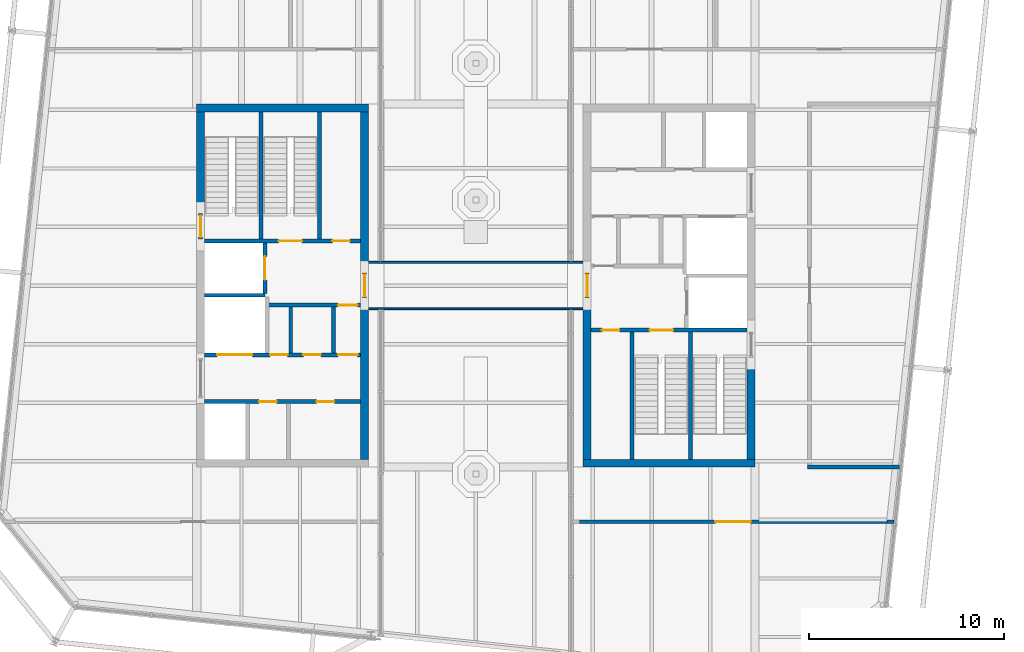
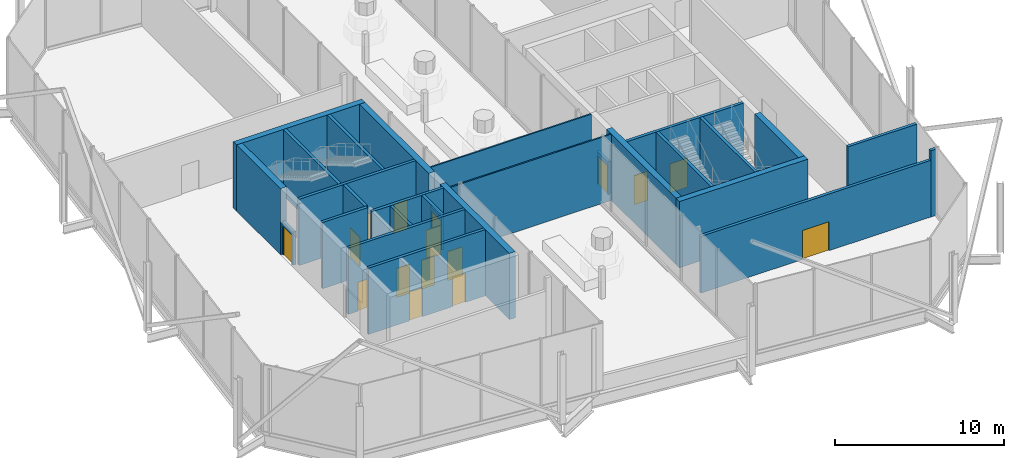
# One storey, part 10 of 14: 28 walls, 16 doors, 16 openings.
"""IFC4 building model written with IfcOpenShell, lengths in metres."""

from ifc_helpers import new_model, si_unit, direction, frame, frame_2d, origin, place, context, subcontext, project, spatial, rectangle, extrude, material, layer, layer_set, type_object, element, fill, save


model = new_model("IFC4")

# Units and contexts
model_context = context("Model", 3, precision=1e-05, world=origin(), true_north=direction((0.0, 1.0)))
body_context = subcontext(model_context, "Body", "Model", "MODEL_VIEW")
ifc_project = project(units=[si_unit("LENGTHUNIT", "METRE"), si_unit("AREAUNIT", "SQUARE_METRE"), si_unit("VOLUMEUNIT", "CUBIC_METRE"), si_unit("PLANEANGLEUNIT", "RADIAN"), si_unit("MASSUNIT", "GRAM", prefix="KILO")], contexts=[model_context])

# Site, building, storey
site_placement = place(None, origin())
site = spatial("IfcSite", under=ifc_project, at=site_placement, CompositionType="ELEMENT")
building_placement = place(site_placement, origin())
building = spatial("IfcBuilding", under=site, at=building_placement, Name="Millrace Tower", CompositionType="ELEMENT")
storey_placement = place(building_placement, frame((0.0, 0.0, 342.10009765625)))
storey = spatial("IfcBuildingStorey", under=building, at=storey_placement, Name="L79", CompositionType="ELEMENT", Elevation=342.10009765625)

# Walls
ifc_material_1 = material(Name="Concrete C60", Category="concrete")
ifc_layer_1 = layer(ifc_material_1, 0.39990234375)
ifc_layer_set_1 = layer_set([ifc_layer_1], Name="Concrete C60")
wall_type_1 = type_object("IfcWallType", Name="Core wall 400 Concrete C60", PredefinedType="SHEAR", material=ifc_layer_set_1)
wall_1_placement = place(storey_placement, frame((-14.300048828125, 9.10009765625, 0.0), z_axis=(0.0, 0.0, 1.0), x_axis=(1.0, 0.0, 0.0)))
element("IfcWall", 1, at=wall_1_placement, inside=storey, type_object=wall_type_1, Name="Core wall W L79", PredefinedType="SHEAR", context=body_context, shape_type="SweptSolid", body=[
    extrude(rectangle(XDim=8.800048828125, YDim=0.39990234375, at=frame_2d((4.39990234375, 0.0))), origin(), (0.0, 0.0, 1.0), 4.7998046875),
])
wall_2_placement = place(storey_placement, frame((-14.10009765625, 3.679931640625, 0.0), z_axis=(0.0, 0.0, 1.0), x_axis=(0.0, 1.0, 0.0)))
element("IfcWall", 2, at=wall_2_placement, inside=storey, type_object=wall_type_1, Name="Core wall W L79", PredefinedType="SHEAR", context=body_context, shape_type="SweptSolid", body=[
    extrude(rectangle(XDim=5.219970703125, YDim=0.39990234375, at=frame_2d((2.60986328125, 0.0))), origin(), (0.0, 0.0, 1.0), 4.7998046875),
])
for number, where, z_axis, x_axis, name in (
    (3, (-5.699951171875, -8.89990234375, 0.0), (0.0, 0.0, 1.0), (0.0, 1.0, 0.0), "Core wall W L79"),
    (4, (-5.699951171875, 0.64990234375, 0.0), (0.0, 0.0, 1.0), (0.0, 1.0, 0.0), "Core wall W L79"),
):
    element("IfcWall", number, at=place(storey_placement, frame(where, z_axis=z_axis, x_axis=x_axis)), inside=storey, type_object=wall_type_1, Name=name, PredefinedType="SHEAR", context=body_context, shape_type="SweptSolid", body=[
        extrude(rectangle(XDim=8.25, YDim=0.39990234375, at=frame_2d((4.125, 0.0))), origin(), (0.0, 0.0, 1.0), 4.7998046875),
    ])
wall_3_placement = place(storey_placement, frame((14.300048828125, -9.10009765625, 0.0), z_axis=(0.0, 0.0, 1.0), x_axis=(-1.0, 0.0, 0.0)))
element("IfcWall", 5, at=wall_3_placement, inside=storey, type_object=wall_type_1, Name="Core wall E L79", PredefinedType="SHEAR", context=body_context, shape_type="SweptSolid", body=[
    extrude(rectangle(XDim=8.800048828125, YDim=0.39990234375, at=frame_2d((4.39990234375, 0.0))), origin(), (0.0, 0.0, 1.0), 4.7998046875),
])
wall_4_placement = place(storey_placement, frame((14.10009765625, -3.679931640625, 0.0), z_axis=(0.0, 0.0, 1.0), x_axis=(0.0, -1.0, 0.0)))
element("IfcWall", 6, at=wall_4_placement, inside=storey, type_object=wall_type_1, Name="Core wall E L79", PredefinedType="SHEAR", context=body_context, shape_type="SweptSolid", body=[
    extrude(rectangle(XDim=5.219970703125, YDim=0.39990234375, at=frame_2d((2.60986328125, 0.0))), origin(), (0.0, 0.0, 1.0), 4.7998046875),
])
wall_5_placement = place(storey_placement, frame((5.699951171875, -0.64990234375, 0.0), z_axis=(0.0, 0.0, 1.0), x_axis=(0.0, -1.0, 0.0)))
element("IfcWall", 7, at=wall_5_placement, inside=storey, type_object=wall_type_1, Name="Core wall E L79", PredefinedType="SHEAR", context=body_context, shape_type="SweptSolid", body=[
    extrude(rectangle(XDim=8.25, YDim=0.39990234375, at=frame_2d((4.125, 0.0))), origin(), (0.0, 0.0, 1.0), 4.7998046875),
])

# Wall, opening, door
ifc_material_2 = material(Name="Masonry partition, fire-rated", Category="masonry")
ifc_layer_2 = layer(ifc_material_2, 0.199951171875)
ifc_layer_set_2 = layer_set([ifc_layer_2], Name="Masonry partition, fire-rated")
wall_type_2 = type_object("IfcWallType", Name="Corridor wall 200", PredefinedType="PARTITIONING", material=ifc_layer_set_2)
wall_6_placement = place(storey_placement, frame((5.307373046875, -12.10009765625, 0.0), z_axis=(0.0, 0.0, 1.0), x_axis=(1.0, 0.0, 0.0)))
wall_6 = element("IfcWall", 8, at=wall_6_placement, inside=storey, type_object=wall_type_2, Name="Corridor wall L79", PredefinedType="PARTITIONING", context=body_context, shape_type="SweptSolid", body=[
    extrude(rectangle(XDim=15.740478515625, YDim=0.199951171875, at=frame_2d((7.8701171875, 0.0))), origin(), (0.0, 0.0, 1.0), 4.1064453125),
])
opening_1_placement = place(wall_6_placement, frame((6.9658203125, 0.0, 0.0)))
opening_1 = element("IfcOpeningElement", 9, at=opening_1_placement, cuts=wall_6, Name="Opening 79-P007", PredefinedType="OPENING", context=body_context, shape_type="SweptSolid", body=[
    extrude(rectangle(XDim=1.800048828125, YDim=2.10009765625, at=frame_2d((0.89990234375, 1.050048828125))), frame((0.0, 0.10986328125, 0.0), z_axis=(0.0, -1.0, 0.0), x_axis=(1.0, 0.0, 0.0)), (0.0, 0.0, 1.0), 0.219970703125),
])
ifc_material_3 = material(Name="Steel door set, fire-rated", Category="steel")
door_type_1 = type_object("IfcDoorType", Name="Corridor door 1800 x 2100", OperationType="DOUBLE_DOOR_SINGLE_SWING", PredefinedType="DOOR", material=ifc_material_3)
door_1_placement = place(opening_1_placement, frame((1.800048828125, 0.0, 0.0), z_axis=(0.0, 0.0, 1.0), x_axis=(-1.0, 0.0, 0.0)))
door_1 = element("IfcDoor", 10, at=door_1_placement, inside=storey, type_object=door_type_1, Name="Door 79-P007", OperationType="DOUBLE_DOOR_SINGLE_SWING", OverallHeight=2.10009765625, OverallWidth=1.800048828125, PredefinedType="DOOR", context=body_context, shape_type="SweptSolid", body=[
    extrude(rectangle(XDim=1.800048828125, YDim=2.10009765625, at=frame_2d((0.89990234375, 1.050048828125))), frame((0.0, 0.02490234375, 0.0), z_axis=(0.0, -1.0, 0.0), x_axis=(1.0, 0.0, 0.0)), (0.0, 0.0, 1.0), 0.050048828125),
])
fill(opening_1, door_1)

# Walls
wall_7_placement = place(storey_placement, frame((21.0478515625, -12.10009765625, 0.0), z_axis=(0.0, 0.0, 1.0), x_axis=(1.0, 0.0, 0.0)))
element("IfcWall", 11, at=wall_7_placement, inside=storey, type_object=wall_type_2, Name="Corridor wall L79", PredefinedType="PARTITIONING", context=body_context, shape_type="SweptSolid", body=[
    extrude(rectangle(XDim=0.35888671875, YDim=0.199951171875, at=frame_2d((0.179443359375, 0.0))), origin(), (0.0, 0.0, 1.0), 4.7998046875),
])
wall_8_placement = place(storey_placement, frame((17.0, -9.300048828125, 0.0), z_axis=(0.0, 0.0, 1.0), x_axis=(1.0, 0.0, 0.0)))
element("IfcWall", 12, at=wall_8_placement, inside=storey, type_object=wall_type_2, Name="Corridor wall L79", PredefinedType="PARTITIONING", context=body_context, shape_type="SweptSolid", body=[
    extrude(rectangle(XDim=4.700927734375, YDim=0.199951171875, at=frame_2d((2.3505859375, 0.0))), origin(), (0.0, 0.0, 1.0), 4.7998046875),
])
ifc_material_4 = material(Name="Fire-resistant glazing", Category="glass")
ifc_layer_3 = layer(ifc_material_4, 0.10009765625)
ifc_layer_set_3 = layer_set([ifc_layer_3], Name="Fire-resistant glazing")
wall_type_3 = type_object("IfcWallType", Name="Glazed fire screen 100", PredefinedType="PARTITIONING", material=ifc_layer_set_3)
for number, where, z_axis, x_axis, name in (
    (13, (-5.5, -1.18994140625, 0.0), (0.0, 0.0, 1.0), (1.0, 0.0, 0.0), "Crown link glazed wall L79"),
    (14, (-5.5, 1.18994140625, 0.0), (0.0, 0.0, 1.0), (1.0, 0.0, 0.0), "Crown link glazed wall L79"),
):
    element("IfcWall", number, at=place(storey_placement, frame(where, z_axis=z_axis, x_axis=x_axis)), inside=storey, type_object=wall_type_3, Name=name, PredefinedType="PARTITIONING", context=body_context, shape_type="SweptSolid", body=[
        extrude(rectangle(XDim=11.0, YDim=0.10009765625, at=frame_2d((5.5, 0.0))), origin(), (0.0, 0.0, 1.0), 4.7998046875),
    ])

# Wall, openings, doors
ifc_material_5 = material(Name="Masonry partition, fire-rated", Category="masonry")
ifc_layer_4 = layer(ifc_material_5, 0.199951171875)
ifc_layer_set_4 = layer_set([ifc_layer_4], Name="Masonry partition, fire-rated")
wall_type_4 = type_object("IfcWallType", Name="Lift shaft wall 200", PredefinedType="PARTITIONING", material=ifc_layer_set_4)
wall_9_placement = place(storey_placement, frame((-13.89990234375, -5.949951171875, 0.0), z_axis=(0.0, 0.0, 1.0), x_axis=(1.0, 0.0, 0.0)))
wall_9 = element("IfcWall", 15, at=wall_9_placement, inside=storey, type_object=wall_type_4, Name="Lift shaft wall W L79", PredefinedType="PARTITIONING", context=body_context, shape_type="SweptSolid", body=[
    extrude(rectangle(XDim=8.0, YDim=0.199951171875, at=frame_2d((4.0, 0.0))), origin(), (0.0, 0.0, 1.0), 4.7998046875),
])
opening_2_placement = place(wall_9_placement, frame((2.797607421875, 0.0, 0.0)))
opening_2 = element("IfcOpeningElement", 16, at=opening_2_placement, cuts=wall_9, Name="Opening 79-C004", PredefinedType="OPENING", context=body_context, shape_type="SweptSolid", body=[
    extrude(rectangle(XDim=0.89990234375, YDim=2.10009765625, at=frame_2d((0.449951171875, 1.050048828125))), frame((0.0, 0.10986328125, 0.0), z_axis=(0.0, -1.0, 0.0), x_axis=(1.0, 0.0, 0.0)), (0.0, 0.0, 1.0), 0.219970703125),
])
opening_3_placement = place(wall_9_placement, frame((5.74755859375, 0.0, 0.0)))
opening_3 = element("IfcOpeningElement", 17, at=opening_3_placement, cuts=wall_9, Name="Opening 79-C005", PredefinedType="OPENING", context=body_context, shape_type="SweptSolid", body=[
    extrude(rectangle(XDim=0.89990234375, YDim=2.10009765625, at=frame_2d((0.449951171875, 1.050048828125))), frame((0.0, 0.10986328125, 0.0), z_axis=(0.0, -1.0, 0.0), x_axis=(1.0, 0.0, 0.0)), (0.0, 0.0, 1.0), 0.219970703125),
])
ifc_material_6 = material(Name="Steel door, fire-rated", Category="steel")
door_type_2 = type_object("IfcDoorType", Name="Service room door 900 x 2100", OperationType="SINGLE_SWING_LEFT", PredefinedType="DOOR", material=ifc_material_6)
door_2_placement = place(opening_2_placement, frame((0.89990234375, 0.0, 0.0), z_axis=(0.0, 0.0, 1.0), x_axis=(-1.0, 0.0, 0.0)))
door_2 = element("IfcDoor", 18, at=door_2_placement, inside=storey, type_object=door_type_2, Name="Service room door 79-C004", OperationType="SINGLE_SWING_RIGHT", OverallHeight=2.10009765625, OverallWidth=0.89990234375, PredefinedType="DOOR", context=body_context, shape_type="SweptSolid", body=[
    extrude(rectangle(XDim=0.89990234375, YDim=2.10009765625, at=frame_2d((0.449951171875, 1.050048828125))), frame((0.0, 0.02490234375, 0.0), z_axis=(0.0, -1.0, 0.0), x_axis=(1.0, 0.0, 0.0)), (0.0, 0.0, 1.0), 0.050048828125),
])
fill(opening_2, door_2)
door_3_placement = place(opening_3_placement, frame((0.89990234375, 0.0, 0.0), z_axis=(0.0, 0.0, 1.0), x_axis=(-1.0, 0.0, 0.0)))
door_3 = element("IfcDoor", 19, at=door_3_placement, inside=storey, type_object=door_type_2, Name="Service room door 79-C005", OperationType="SINGLE_SWING_LEFT", OverallHeight=2.10009765625, OverallWidth=0.89990234375, PredefinedType="DOOR", context=body_context, shape_type="SweptSolid", body=[
    extrude(rectangle(XDim=0.89990234375, YDim=2.10009765625, at=frame_2d((0.449951171875, 1.050048828125))), frame((0.0, 0.02490234375, 0.0), z_axis=(0.0, -1.0, 0.0), x_axis=(1.0, 0.0, 0.0)), (0.0, 0.0, 1.0), 0.050048828125),
])
fill(opening_3, door_3)

wall_10_placement = place(storey_placement, frame((-13.89990234375, -3.550048828125, 0.0), z_axis=(0.0, 0.0, 1.0), x_axis=(1.0, 0.0, 0.0)))
wall_10 = element("IfcWall", 20, at=wall_10_placement, inside=storey, type_object=wall_type_4, Name="Lift shaft wall W L79", PredefinedType="PARTITIONING", context=body_context, shape_type="SweptSolid", body=[
    extrude(rectangle(XDim=8.0, YDim=0.199951171875, at=frame_2d((4.0, 0.0))), origin(), (0.0, 0.0, 1.0), 4.7998046875),
])
opening_4_placement = place(wall_10_placement, frame((0.64990234375, 0.0, 0.0)))
opening_4 = element("IfcOpeningElement", 21, at=opening_4_placement, cuts=wall_10, Name="Opening 79-LD05", PredefinedType="OPENING", context=body_context, shape_type="SweptSolid", body=[
    extrude(rectangle(XDim=1.800048828125, YDim=2.10009765625, at=frame_2d((0.89990234375, 1.050048828125))), frame((0.0, 0.10986328125, 0.0), z_axis=(0.0, -1.0, 0.0), x_axis=(1.0, 0.0, 0.0)), (0.0, 0.0, 1.0), 0.219970703125),
])
opening_5_placement = place(wall_10_placement, frame((3.360107421875, 0.0, 0.0)))
opening_5 = element("IfcOpeningElement", 22, at=opening_5_placement, cuts=wall_10, Name="Opening 79-C006", PredefinedType="OPENING", context=body_context, shape_type="SweptSolid", body=[
    extrude(rectangle(XDim=0.89990234375, YDim=2.10009765625, at=frame_2d((0.449951171875, 1.050048828125))), frame((0.0, 0.10986328125, 0.0), z_axis=(0.0, -1.0, 0.0), x_axis=(1.0, 0.0, 0.0)), (0.0, 0.0, 1.0), 0.219970703125),
])
opening_6_placement = place(wall_10_placement, frame((5.06005859375, 0.0, 0.0)))
opening_6 = element("IfcOpeningElement", 23, at=opening_6_placement, cuts=wall_10, Name="Opening 79-C007", PredefinedType="OPENING", context=body_context, shape_type="SweptSolid", body=[
    extrude(rectangle(XDim=0.89990234375, YDim=2.10009765625, at=frame_2d((0.449951171875, 1.050048828125))), frame((0.0, 0.10986328125, 0.0), z_axis=(0.0, -1.0, 0.0), x_axis=(1.0, 0.0, 0.0)), (0.0, 0.0, 1.0), 0.219970703125),
])
opening_7_placement = place(wall_10_placement, frame((6.85009765625, 0.0, 0.0)))
opening_7 = element("IfcOpeningElement", 24, at=opening_7_placement, cuts=wall_10, Name="Opening 79-C008", PredefinedType="OPENING", context=body_context, shape_type="SweptSolid", body=[
    extrude(rectangle(XDim=1.0, YDim=2.10009765625, at=frame_2d((0.5, 1.050048828125))), frame((0.0, 0.10986328125, 0.0), z_axis=(0.0, -1.0, 0.0), x_axis=(1.0, 0.0, 0.0)), (0.0, 0.0, 1.0), 0.219970703125),
])
ifc_material_7 = material(Name="Stainless steel, fire-rated", Category="steel")
door_type_3 = type_object("IfcDoorType", Name="Lift landing door 1800 x 2100", OperationType="DOUBLE_DOOR_SLIDING", PredefinedType="DOOR", material=ifc_material_7)
door_4_placement = place(opening_4_placement, origin())
door_4 = element("IfcDoor", 25, at=door_4_placement, inside=storey, type_object=door_type_3, Name="Lift landing door LF5 L79", OperationType="DOUBLE_DOOR_SLIDING", OverallHeight=2.10009765625, OverallWidth=1.800048828125, PredefinedType="DOOR", context=body_context, shape_type="SweptSolid", body=[
    extrude(rectangle(XDim=1.800048828125, YDim=2.10009765625, at=frame_2d((0.89990234375, 1.050048828125))), frame((0.0, 0.02490234375, 0.0), z_axis=(0.0, -1.0, 0.0), x_axis=(1.0, 0.0, 0.0)), (0.0, 0.0, 1.0), 0.050048828125),
])
fill(opening_4, door_4)
ifc_material_8 = material(Name="Steel door, fire-rated", Category="steel")
door_type_4 = type_object("IfcDoorType", Name="Lobby door 1000 x 2100", OperationType="SINGLE_SWING_LEFT", PredefinedType="DOOR", material=ifc_material_8)
door_5_placement = place(opening_7_placement, origin())
door_5 = element("IfcDoor", 26, at=door_5_placement, inside=storey, type_object=door_type_4, Name="Lobby door 79-C008", OperationType="SINGLE_SWING_LEFT", OverallHeight=2.10009765625, OverallWidth=1.0, PredefinedType="DOOR", context=body_context, shape_type="SweptSolid", body=[
    extrude(rectangle(XDim=1.0, YDim=2.10009765625, at=frame_2d((0.5, 1.050048828125))), frame((0.0, 0.02490234375, 0.0), z_axis=(0.0, -1.0, 0.0), x_axis=(1.0, 0.0, 0.0)), (0.0, 0.0, 1.0), 0.050048828125),
])
fill(opening_7, door_5)
door_6_placement = place(opening_5_placement, origin())
door_6 = element("IfcDoor", 27, at=door_6_placement, inside=storey, type_object=door_type_2, Name="Service room door 79-C006", OperationType="SINGLE_SWING_LEFT", OverallHeight=2.10009765625, OverallWidth=0.89990234375, PredefinedType="DOOR", context=body_context, shape_type="SweptSolid", body=[
    extrude(rectangle(XDim=0.89990234375, YDim=2.10009765625, at=frame_2d((0.449951171875, 1.050048828125))), frame((0.0, 0.02490234375, 0.0), z_axis=(0.0, -1.0, 0.0), x_axis=(1.0, 0.0, 0.0)), (0.0, 0.0, 1.0), 0.050048828125),
])
fill(opening_5, door_6)
door_7_placement = place(opening_6_placement, origin())
door_7 = element("IfcDoor", 28, at=door_7_placement, inside=storey, type_object=door_type_2, Name="Service room door 79-C007", OperationType="SINGLE_SWING_RIGHT", OverallHeight=2.10009765625, OverallWidth=0.89990234375, PredefinedType="DOOR", context=body_context, shape_type="SweptSolid", body=[
    extrude(rectangle(XDim=0.89990234375, YDim=2.10009765625, at=frame_2d((0.449951171875, 1.050048828125))), frame((0.0, 0.02490234375, 0.0), z_axis=(0.0, -1.0, 0.0), x_axis=(1.0, 0.0, 0.0)), (0.0, 0.0, 1.0), 0.050048828125),
])
fill(opening_6, door_7)

# Wall
wall_11_placement = place(storey_placement, frame((-13.89990234375, -0.5, 0.0), z_axis=(0.0, 0.0, 1.0), x_axis=(1.0, 0.0, 0.0)))
element("IfcWall", 29, at=wall_11_placement, inside=storey, type_object=wall_type_4, Name="Lift shaft wall W L79", PredefinedType="PARTITIONING", context=body_context, shape_type="SweptSolid", body=[
    extrude(rectangle(XDim=3.099853515625, YDim=0.199951171875, at=frame_2d((1.5498046875, 0.0))), origin(), (0.0, 0.0, 1.0), 4.7998046875),
])

# Wall, opening, door
wall_12_placement = place(storey_placement, frame((-10.800048828125, -1.0, 0.0), z_axis=(0.0, 0.0, 1.0), x_axis=(1.0, 0.0, 0.0)))
wall_12 = element("IfcWall", 30, at=wall_12_placement, inside=storey, type_object=wall_type_4, Name="Lift shaft wall W L79", PredefinedType="PARTITIONING", context=body_context, shape_type="SweptSolid", body=[
    extrude(rectangle(XDim=4.900146484375, YDim=0.199951171875, at=frame_2d((2.4501953125, 0.0))), origin(), (0.0, 0.0, 1.0), 4.7998046875),
])
opening_8_placement = place(wall_12_placement, frame((3.75, 0.0, 0.0)))
opening_8 = element("IfcOpeningElement", 31, at=opening_8_placement, cuts=wall_12, Name="Opening 79-C009", PredefinedType="OPENING", context=body_context, shape_type="SweptSolid", body=[
    extrude(rectangle(XDim=1.0, YDim=2.10009765625, at=frame_2d((0.5, 1.050048828125))), frame((0.0, 0.10986328125, 0.0), z_axis=(0.0, -1.0, 0.0), x_axis=(1.0, 0.0, 0.0)), (0.0, 0.0, 1.0), 0.219970703125),
])
door_8_placement = place(opening_8_placement, origin())
door_8 = element("IfcDoor", 32, at=door_8_placement, inside=storey, type_object=door_type_4, Name="Lobby door 79-C009", OperationType="SINGLE_SWING_LEFT", OverallHeight=2.10009765625, OverallWidth=1.0, PredefinedType="DOOR", context=body_context, shape_type="SweptSolid", body=[
    extrude(rectangle(XDim=1.0, YDim=2.10009765625, at=frame_2d((0.5, 1.050048828125))), frame((0.0, 0.02490234375, 0.0), z_axis=(0.0, -1.0, 0.0), x_axis=(1.0, 0.0, 0.0)), (0.0, 0.0, 1.0), 0.050048828125),
])
fill(opening_8, door_8)

wall_13_placement = place(storey_placement, frame((-10.800048828125, -0.39990234375, 0.0), z_axis=(0.0, 0.0, 1.0), x_axis=(0.0, 1.0, 0.0)))
wall_13 = element("IfcWall", 33, at=wall_13_placement, inside=storey, type_object=wall_type_4, Name="Lift shaft wall W L79", PredefinedType="PARTITIONING", context=body_context, shape_type="SweptSolid", body=[
    extrude(rectangle(XDim=2.579833984375, YDim=0.199951171875, at=frame_2d((1.2900390625, 0.0))), origin(), (0.0, 0.0, 1.0), 4.7998046875),
])
opening_9_placement = place(wall_13_placement, frame((0.68994140625, 0.0, 0.0)))
opening_9 = element("IfcOpeningElement", 34, at=opening_9_placement, cuts=wall_13, Name="Opening 79-LD08", PredefinedType="OPENING", context=body_context, shape_type="SweptSolid", body=[
    extrude(rectangle(XDim=1.199951171875, YDim=2.10009765625, at=frame_2d((0.60009765625, 1.050048828125))), frame((0.0, 0.10986328125, 0.0), z_axis=(0.0, -1.0, 0.0), x_axis=(1.0, 0.0, 0.0)), (0.0, 0.0, 1.0), 0.219970703125),
])
ifc_material_9 = material(Name="Stainless steel, fire-rated", Category="steel")
door_type_5 = type_object("IfcDoorType", Name="Lift landing door 1200 x 2100", OperationType="DOUBLE_DOOR_SLIDING", PredefinedType="DOOR", material=ifc_material_9)
door_9_placement = place(opening_9_placement, origin())
door_9 = element("IfcDoor", 35, at=door_9_placement, inside=storey, type_object=door_type_5, Name="Lift landing door LF8 L79", OperationType="DOUBLE_DOOR_SLIDING", OverallHeight=2.10009765625, OverallWidth=1.199951171875, PredefinedType="DOOR", context=body_context, shape_type="SweptSolid", body=[
    extrude(rectangle(XDim=1.199951171875, YDim=2.10009765625, at=frame_2d((0.60009765625, 1.050048828125))), frame((0.0, 0.02490234375, 0.0), z_axis=(0.0, -1.0, 0.0), x_axis=(1.0, 0.0, 0.0)), (0.0, 0.0, 1.0), 0.050048828125),
])
fill(opening_9, door_9)

# Wall
wall_14_placement = place(storey_placement, frame((-7.300048828125, -3.449951171875, 0.0), z_axis=(0.0, 0.0, 1.0), x_axis=(0.0, 1.0, 0.0)))
element("IfcWall", 36, at=wall_14_placement, inside=storey, type_object=wall_type_4, Name="Lift shaft wall W L79", PredefinedType="PARTITIONING", context=body_context, shape_type="SweptSolid", body=[
    extrude(rectangle(XDim=2.349853515625, YDim=0.199951171875, at=frame_2d((1.1748046875, 0.0))), origin(), (0.0, 0.0, 1.0), 4.7998046875),
])

# Wall, opening, door
ifc_material_10 = material(Name="Masonry partition, fire-rated", Category="masonry")
ifc_layer_5 = layer(ifc_material_10, 0.199951171875)
ifc_layer_set_5 = layer_set([ifc_layer_5], Name="Masonry partition, fire-rated")
wall_type_5 = type_object("IfcWallType", Name="Lobby wall 200", PredefinedType="PARTITIONING", material=ifc_layer_set_5)
wall_15_placement = place(storey_placement, frame((-5.699951171875, -0.64990234375, 0.0), z_axis=(0.0, 0.0, 1.0), x_axis=(0.0, 1.0, 0.0)))
wall_15 = element("IfcWall", 37, at=wall_15_placement, inside=storey, type_object=wall_type_5, Name="Lobby wall W L79", PredefinedType="PARTITIONING", context=body_context, shape_type="SweptSolid", body=[
    extrude(rectangle(XDim=1.2998046875, YDim=0.199951171875, at=frame_2d((0.64990234375, 0.0))), origin(), (0.0, 0.0, 1.0), 2.39990234375),
])
opening_10_placement = place(wall_15_placement, frame((0.050048828125, 0.0, 0.0)))
opening_10 = element("IfcOpeningElement", 38, at=opening_10_placement, cuts=wall_15, Name="Opening 79-C003", PredefinedType="OPENING", context=body_context, shape_type="SweptSolid", body=[
    extrude(rectangle(XDim=1.199951171875, YDim=2.10009765625, at=frame_2d((0.60009765625, 1.050048828125))), frame((0.0, 0.10986328125, 0.0), z_axis=(0.0, -1.0, 0.0), x_axis=(1.0, 0.0, 0.0)), (0.0, 0.0, 1.0), 0.219970703125),
])
ifc_material_11 = material(Name="Steel door, fire-rated", Category="steel")
door_type_6 = type_object("IfcDoorType", Name="Lobby door 1200 x 2100", OperationType="SINGLE_SWING_LEFT", PredefinedType="DOOR", material=ifc_material_11)
door_10_placement = place(opening_10_placement, origin())
door_10 = element("IfcDoor", 39, at=door_10_placement, inside=storey, type_object=door_type_6, Name="Lobby door 79-C003", OperationType="SINGLE_SWING_LEFT", OverallHeight=2.10009765625, OverallWidth=1.199951171875, PredefinedType="DOOR", context=body_context, shape_type="SweptSolid", body=[
    extrude(rectangle(XDim=1.199951171875, YDim=2.10009765625, at=frame_2d((0.60009765625, 1.050048828125))), frame((0.0, 0.02490234375, 0.0), z_axis=(0.0, -1.0, 0.0), x_axis=(1.0, 0.0, 0.0)), (0.0, 0.0, 1.0), 0.050048828125),
])
fill(opening_10, door_10)

wall_16_placement = place(storey_placement, frame((5.699951171875, 0.64990234375, 0.0), z_axis=(0.0, 0.0, 1.0), x_axis=(0.0, -1.0, 0.0)))
wall_16 = element("IfcWall", 40, at=wall_16_placement, inside=storey, type_object=wall_type_5, Name="Lobby wall E L79", PredefinedType="PARTITIONING", context=body_context, shape_type="SweptSolid", body=[
    extrude(rectangle(XDim=1.2998046875, YDim=0.199951171875, at=frame_2d((0.64990234375, 0.0))), origin(), (0.0, 0.0, 1.0), 2.39990234375),
])
opening_11_placement = place(wall_16_placement, frame((0.050048828125, 0.0, 0.0)))
opening_11 = element("IfcOpeningElement", 41, at=opening_11_placement, cuts=wall_16, Name="Opening 79-C014", PredefinedType="OPENING", context=body_context, shape_type="SweptSolid", body=[
    extrude(rectangle(XDim=1.199951171875, YDim=2.10009765625, at=frame_2d((0.60009765625, 1.050048828125))), frame((0.0, 0.10986328125, 0.0), z_axis=(0.0, -1.0, 0.0), x_axis=(1.0, 0.0, 0.0)), (0.0, 0.0, 1.0), 0.219970703125),
])
door_11_placement = place(opening_11_placement, origin())
door_11 = element("IfcDoor", 42, at=door_11_placement, inside=storey, type_object=door_type_6, Name="Lobby door 79-C014", OperationType="SINGLE_SWING_LEFT", OverallHeight=2.10009765625, OverallWidth=1.199951171875, PredefinedType="DOOR", context=body_context, shape_type="SweptSolid", body=[
    extrude(rectangle(XDim=1.199951171875, YDim=2.10009765625, at=frame_2d((0.60009765625, 1.050048828125))), frame((0.0, 0.02490234375, 0.0), z_axis=(0.0, -1.0, 0.0), x_axis=(1.0, 0.0, 0.0)), (0.0, 0.0, 1.0), 0.050048828125),
])
fill(opening_11, door_11)

# Wall
ifc_material_12 = material(Name="Masonry partition, fire-rated", Category="masonry")
ifc_layer_6 = layer(ifc_material_12, 0.199951171875)
ifc_layer_set_6 = layer_set([ifc_layer_6], Name="Masonry partition, fire-rated")
wall_type_6 = type_object("IfcWallType", Name="Room partition 200", PredefinedType="PARTITIONING", material=ifc_layer_set_6)
wall_17_placement = place(storey_placement, frame((-9.47998046875, -3.449951171875, 0.0), z_axis=(0.0, 0.0, 1.0), x_axis=(0.0, 1.0, 0.0)))
element("IfcWall", 43, at=wall_17_placement, inside=storey, type_object=wall_type_6, Name="Room partition W L79", PredefinedType="PARTITIONING", context=body_context, shape_type="SweptSolid", body=[
    extrude(rectangle(XDim=2.349853515625, YDim=0.199951171875, at=frame_2d((1.1748046875, 0.0))), origin(), (0.0, 0.0, 1.0), 4.7998046875),
])

# Wall, opening, door
ifc_material_13 = material(Name="Concrete C40", Category="concrete")
ifc_layer_7 = layer(ifc_material_13, 0.199951171875)
ifc_layer_set_7 = layer_set([ifc_layer_7], Name="Concrete C40")
wall_type_7 = type_object("IfcWallType", Name="Stair enclosure wall 200 Concrete C40", PredefinedType="SHEAR", material=ifc_layer_set_7)
wall_18_placement = place(storey_placement, frame((-14.10009765625, 2.3798828125, 0.0), z_axis=(0.0, 0.0, 1.0), x_axis=(0.0, 1.0, 0.0)))
wall_18 = element("IfcWall", 44, at=wall_18_placement, inside=storey, type_object=wall_type_7, Name="Stair enclosure wall W L79", PredefinedType="SHEAR", context=body_context, shape_type="SweptSolid", body=[
    extrude(rectangle(XDim=1.300048828125, YDim=0.199951171875, at=frame_2d((0.64990234375, 0.0))), origin(), (0.0, 0.0, 1.0), 2.39990234375),
])
opening_12_placement = place(wall_18_placement, frame((0.10009765625, 0.0, 0.0)))
opening_12 = element("IfcOpeningElement", 45, at=opening_12_placement, cuts=wall_18, Name="Opening 79-C002", PredefinedType="OPENING", context=body_context, shape_type="SweptSolid", body=[
    extrude(rectangle(XDim=1.10009765625, YDim=2.10009765625, at=frame_2d((0.550048828125, 1.050048828125))), frame((0.0, 0.10986328125, 0.0), z_axis=(0.0, -1.0, 0.0), x_axis=(1.0, 0.0, 0.0)), (0.0, 0.0, 1.0), 0.219970703125),
])
ifc_material_14 = material(Name="Steel door, fire-rated", Category="steel")
door_type_7 = type_object("IfcDoorType", Name="Stair door 1100 x 2100", OperationType="SINGLE_SWING_LEFT", PredefinedType="DOOR", material=ifc_material_14)
door_12_placement = place(opening_12_placement, origin())
door_12 = element("IfcDoor", 46, at=door_12_placement, inside=storey, type_object=door_type_7, Name="Stair door 79-C002", OperationType="SINGLE_SWING_LEFT", OverallHeight=2.10009765625, OverallWidth=1.10009765625, PredefinedType="DOOR", context=body_context, shape_type="SweptSolid", body=[
    extrude(rectangle(XDim=1.10009765625, YDim=2.10009765625, at=frame_2d((0.550048828125, 1.050048828125))), frame((0.0, 0.02490234375, 0.0), z_axis=(0.0, -1.0, 0.0), x_axis=(1.0, 0.0, 0.0)), (0.0, 0.0, 1.0), 0.050048828125),
])
fill(opening_12, door_12)

# Wall, openings, doors
wall_19_placement = place(storey_placement, frame((-13.89990234375, 2.280029296875, 0.0), z_axis=(0.0, 0.0, 1.0), x_axis=(1.0, 0.0, 0.0)))
wall_19 = element("IfcWall", 47, at=wall_19_placement, inside=storey, type_object=wall_type_7, Name="Stair enclosure wall W L79", PredefinedType="SHEAR", context=body_context, shape_type="SweptSolid", body=[
    extrude(rectangle(XDim=8.0, YDim=0.199951171875, at=frame_2d((4.0, 0.0))), origin(), (0.0, 0.0, 1.0), 4.7998046875),
])
opening_13_placement = place(wall_19_placement, frame((3.800048828125, 0.0, 0.0)))
opening_13 = element("IfcOpeningElement", 48, at=opening_13_placement, cuts=wall_19, Name="Opening 79-C010", PredefinedType="OPENING", context=body_context, shape_type="SweptSolid", body=[
    extrude(rectangle(XDim=1.199951171875, YDim=2.10009765625, at=frame_2d((0.60009765625, 1.050048828125))), frame((0.0, 0.10986328125, 0.0), z_axis=(0.0, -1.0, 0.0), x_axis=(1.0, 0.0, 0.0)), (0.0, 0.0, 1.0), 0.219970703125),
])
opening_14_placement = place(wall_19_placement, frame((6.550048828125, 0.0, 0.0)))
opening_14 = element("IfcOpeningElement", 49, at=opening_14_placement, cuts=wall_19, Name="Opening 79-C011", PredefinedType="OPENING", context=body_context, shape_type="SweptSolid", body=[
    extrude(rectangle(XDim=0.89990234375, YDim=2.10009765625, at=frame_2d((0.449951171875, 1.050048828125))), frame((0.0, 0.10986328125, 0.0), z_axis=(0.0, -1.0, 0.0), x_axis=(1.0, 0.0, 0.0)), (0.0, 0.0, 1.0), 0.219970703125),
])
door_13_placement = place(opening_14_placement, origin())
door_13 = element("IfcDoor", 50, at=door_13_placement, inside=storey, type_object=door_type_2, Name="Service room door 79-C011", OperationType="SINGLE_SWING_RIGHT", OverallHeight=2.10009765625, OverallWidth=0.89990234375, PredefinedType="DOOR", context=body_context, shape_type="SweptSolid", body=[
    extrude(rectangle(XDim=0.89990234375, YDim=2.10009765625, at=frame_2d((0.449951171875, 1.050048828125))), frame((0.0, 0.02490234375, 0.0), z_axis=(0.0, -1.0, 0.0), x_axis=(1.0, 0.0, 0.0)), (0.0, 0.0, 1.0), 0.050048828125),
])
fill(opening_14, door_13)
ifc_material_15 = material(Name="Steel door, fire-rated", Category="steel")
door_type_8 = type_object("IfcDoorType", Name="Stair door 1200 x 2100", OperationType="SINGLE_SWING_LEFT", PredefinedType="DOOR", material=ifc_material_15)
door_14_placement = place(opening_13_placement, frame((1.199951171875, 0.0, 0.0), z_axis=(0.0, 0.0, 1.0), x_axis=(-1.0, 0.0, 0.0)))
door_14 = element("IfcDoor", 51, at=door_14_placement, inside=storey, type_object=door_type_8, Name="Stair door 79-C010", OperationType="SINGLE_SWING_LEFT", OverallHeight=2.10009765625, OverallWidth=1.199951171875, PredefinedType="DOOR", context=body_context, shape_type="SweptSolid", body=[
    extrude(rectangle(XDim=1.199951171875, YDim=2.10009765625, at=frame_2d((0.60009765625, 1.050048828125))), frame((0.0, 0.02490234375, 0.0), z_axis=(0.0, -1.0, 0.0), x_axis=(1.0, 0.0, 0.0)), (0.0, 0.0, 1.0), 0.050048828125),
])
fill(opening_13, door_14)

# Walls
for number, where, z_axis, x_axis, name in (
    (52, (-11.0, 2.3798828125, 0.0), (0.0, 0.0, 1.0), (0.0, 1.0, 0.0), "Stair enclosure wall W L79"),
    (53, (-8.0, 2.3798828125, 0.0), (0.0, 0.0, 1.0), (0.0, 1.0, 0.0), "Stair enclosure wall W L79"),
):
    element("IfcWall", number, at=place(storey_placement, frame(where, z_axis=z_axis, x_axis=x_axis)), inside=storey, type_object=wall_type_7, Name=name, PredefinedType="SHEAR", context=body_context, shape_type="SweptSolid", body=[
        extrude(rectangle(XDim=6.52001953125, YDim=0.199951171875, at=frame_2d((3.260009765625, 0.0))), origin(), (0.0, 0.0, 1.0), 4.7998046875),
    ])

# Wall, openings, doors
wall_20_placement = place(storey_placement, frame((13.89990234375, -2.280029296875, 0.0), z_axis=(0.0, 0.0, 1.0), x_axis=(-1.0, 0.0, 0.0)))
wall_20 = element("IfcWall", 54, at=wall_20_placement, inside=storey, type_object=wall_type_7, Name="Stair enclosure wall E L79", PredefinedType="SHEAR", context=body_context, shape_type="SweptSolid", body=[
    extrude(rectangle(XDim=8.0, YDim=0.199951171875, at=frame_2d((4.0, 0.0))), origin(), (0.0, 0.0, 1.0), 4.7998046875),
])
opening_15_placement = place(wall_20_placement, frame((3.800048828125, 0.0, 0.0)))
opening_15 = element("IfcOpeningElement", 55, at=opening_15_placement, cuts=wall_20, Name="Opening 79-C021", PredefinedType="OPENING", context=body_context, shape_type="SweptSolid", body=[
    extrude(rectangle(XDim=1.199951171875, YDim=2.10009765625, at=frame_2d((0.60009765625, 1.050048828125))), frame((0.0, 0.10986328125, 0.0), z_axis=(0.0, -1.0, 0.0), x_axis=(1.0, 0.0, 0.0)), (0.0, 0.0, 1.0), 0.219970703125),
])
opening_16_placement = place(wall_20_placement, frame((6.550048828125, 0.0, 0.0)))
opening_16 = element("IfcOpeningElement", 56, at=opening_16_placement, cuts=wall_20, Name="Opening 79-C022", PredefinedType="OPENING", context=body_context, shape_type="SweptSolid", body=[
    extrude(rectangle(XDim=0.89990234375, YDim=2.10009765625, at=frame_2d((0.449951171875, 1.050048828125))), frame((0.0, 0.10986328125, 0.0), z_axis=(0.0, -1.0, 0.0), x_axis=(1.0, 0.0, 0.0)), (0.0, 0.0, 1.0), 0.219970703125),
])
door_15_placement = place(opening_16_placement, origin())
door_15 = element("IfcDoor", 57, at=door_15_placement, inside=storey, type_object=door_type_2, Name="Service room door 79-C022", OperationType="SINGLE_SWING_RIGHT", OverallHeight=2.10009765625, OverallWidth=0.89990234375, PredefinedType="DOOR", context=body_context, shape_type="SweptSolid", body=[
    extrude(rectangle(XDim=0.89990234375, YDim=2.10009765625, at=frame_2d((0.449951171875, 1.050048828125))), frame((0.0, 0.02490234375, 0.0), z_axis=(0.0, -1.0, 0.0), x_axis=(1.0, 0.0, 0.0)), (0.0, 0.0, 1.0), 0.050048828125),
])
fill(opening_16, door_15)
door_16_placement = place(opening_15_placement, frame((1.199951171875, 0.0, 0.0), z_axis=(0.0, 0.0, 1.0), x_axis=(-1.0, 0.0, 0.0)))
door_16 = element("IfcDoor", 58, at=door_16_placement, inside=storey, type_object=door_type_8, Name="Stair door 79-C021", OperationType="SINGLE_SWING_LEFT", OverallHeight=2.10009765625, OverallWidth=1.199951171875, PredefinedType="DOOR", context=body_context, shape_type="SweptSolid", body=[
    extrude(rectangle(XDim=1.199951171875, YDim=2.10009765625, at=frame_2d((0.60009765625, 1.050048828125))), frame((0.0, 0.02490234375, 0.0), z_axis=(0.0, -1.0, 0.0), x_axis=(1.0, 0.0, 0.0)), (0.0, 0.0, 1.0), 0.050048828125),
])
fill(opening_15, door_16)

# Walls
for number, where, z_axis, x_axis, name in (
    (59, (11.0, -2.3798828125, 0.0), (0.0, 0.0, 1.0), (0.0, -1.0, 0.0), "Stair enclosure wall E L79"),
    (60, (8.0, -2.3798828125, 0.0), (0.0, 0.0, 1.0), (0.0, -1.0, 0.0), "Stair enclosure wall E L79"),
):
    element("IfcWall", number, at=place(storey_placement, frame(where, z_axis=z_axis, x_axis=x_axis)), inside=storey, type_object=wall_type_7, Name=name, PredefinedType="SHEAR", context=body_context, shape_type="SweptSolid", body=[
        extrude(rectangle(XDim=6.52001953125, YDim=0.199951171875, at=frame_2d((3.260009765625, 0.0))), origin(), (0.0, 0.0, 1.0), 4.7998046875),
    ])

save(model, "model.ifc")
